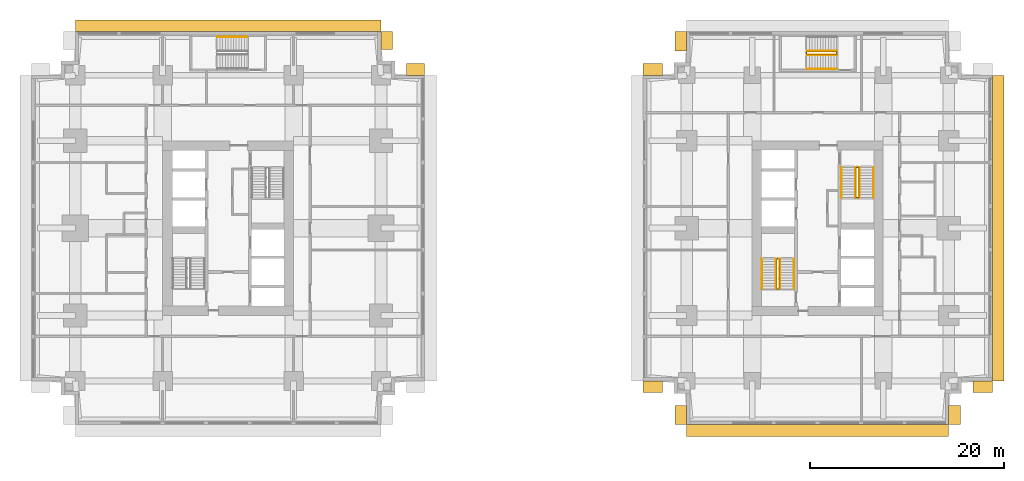
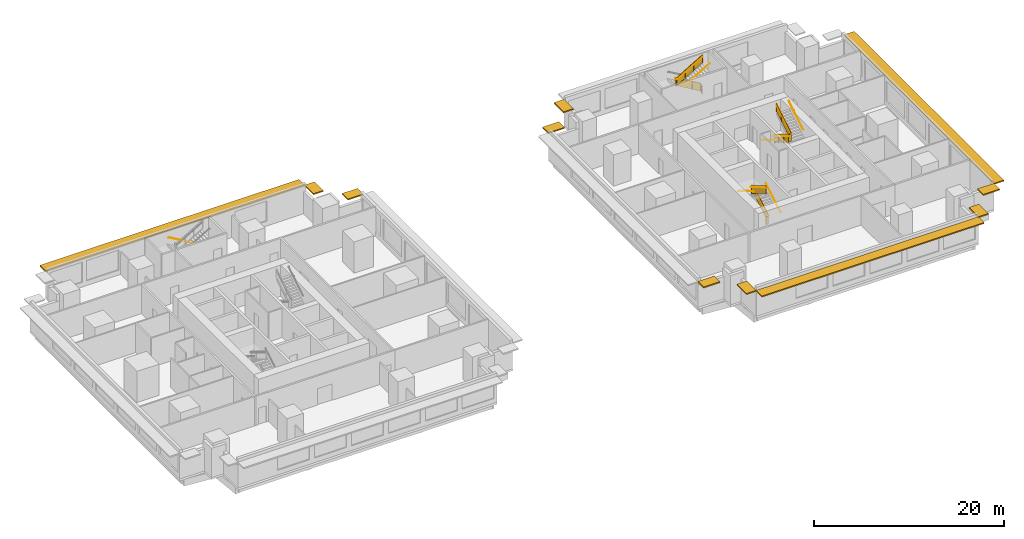
# One storey, part 10 of 11: 15 railings, 11 shading devices.
"""IFC4 building model written with IfcOpenShell, lengths in metres."""

from ifc_helpers import new_model, si_unit, direction, frame, origin, origin_2d, place, context, subcontext, project, spatial, polyline, rectangle, circle, outline, extrude, material, layer, layer_set, type_object, element, save


model = new_model("IFC4")

# Units and contexts
model_context = context("Model", 3, precision=1e-05, world=origin(), true_north=direction((0.0, 1.0)))
body_context = subcontext(model_context, "Body", "Model", "MODEL_VIEW")
ifc_project = project(units=[si_unit("LENGTHUNIT", "METRE"), si_unit("AREAUNIT", "SQUARE_METRE"), si_unit("VOLUMEUNIT", "CUBIC_METRE"), si_unit("PLANEANGLEUNIT", "RADIAN"), si_unit("MASSUNIT", "GRAM", prefix="KILO")], contexts=[model_context])

# Site, building, storey
site_placement = place(None, origin())
site = spatial("IfcSite", under=ifc_project, at=site_placement, CompositionType="ELEMENT")
building_placement = place(site_placement, origin())
building = spatial("IfcBuilding", under=site, at=building_placement, Name="Namib Vertical Campus", CompositionType="ELEMENT")
storey_placement = place(building_placement, frame((0.0, 0.0, 57.0)))
storey = spatial("IfcBuildingStorey", under=building, at=storey_placement, Name="L13", CompositionType="ELEMENT", Elevation=57.0)

# Railings
ifc_material_1 = material(Name="Steel handrail", Category="steel")
railing_type_1 = type_object("IfcRailingType", Name="Handrail 900", PredefinedType="HANDRAIL", material=ifc_material_1)
railing_1_placement = place(storey_placement, frame((78.550048828125, 14.0, 0.166748046875)))
element("IfcRailing", 1, at=railing_1_placement, inside=storey, type_object=railing_type_1, Name="Handrail HR1 B-S1 L13 1", PredefinedType="HANDRAIL", context=body_context, shape_type="SweptSolid", body=[
    extrude(circle(Radius=0.02392578125, at=origin_2d()), frame((0.0, 0.0, 0.8759765625), z_axis=(0.0, 0.859308565015, 0.511457515432), x_axis=(-1.0, 0.0, 0.0)), (0.0, 0.0, 1.0), 3.58447265625),
    extrude(circle(Radius=0.008056640625, at=origin_2d()), frame((0.0, 0.0, 0.8759765625), z_axis=(1.0, 0.0, 0.0), x_axis=(0.0, 0.0, 1.0)), (0.0, 0.0, 1.0), 0.050048828125),
    extrude(circle(Radius=0.008056640625, at=origin_2d()), frame((0.0, 1.026611328125, 1.48681640625), z_axis=(1.0, 0.0, 0.0), x_axis=(0.0, 0.0, 1.0)), (0.0, 0.0, 1.0), 0.050048828125),
    extrude(circle(Radius=0.008056640625, at=origin_2d()), frame((0.0, 2.053466796875, 2.09814453125), z_axis=(1.0, 0.0, 0.0), x_axis=(0.0, 0.0, 1.0)), (0.0, 0.0, 1.0), 0.050048828125),
    extrude(circle(Radius=0.008056640625, at=origin_2d()), frame((0.0, 3.080078125, 2.708984375), z_axis=(1.0, 0.0, 0.0), x_axis=(0.0, 0.0, 1.0)), (0.0, 0.0, 1.0), 0.050048828125),
])
railing_2_placement = place(storey_placement, frame((75.25, 17.080078125, 2.166748046875)))
element("IfcRailing", 2, at=railing_2_placement, inside=storey, type_object=railing_type_1, Name="Handrail HR1 B-S1 L13 2", PredefinedType="HANDRAIL", context=body_context, shape_type="SweptSolid", body=[
    extrude(circle(Radius=0.02392578125, at=origin_2d()), frame((0.0, 0.0, 0.8759765625), z_axis=(0.0, -0.859308565015, 0.511457515432), x_axis=(1.0, 0.0, 0.0)), (0.0, 0.0, 1.0), 3.58447265625),
    extrude(circle(Radius=0.008056640625, at=origin_2d()), frame((0.0, 0.0, 0.8759765625), z_axis=(-1.0, 0.0, 0.0), x_axis=(0.0, 0.0, 1.0)), (0.0, 0.0, 1.0), 0.050048828125),
    extrude(circle(Radius=0.008056640625, at=origin_2d()), frame((0.0, -1.026611328125, 1.48681640625), z_axis=(-1.0, 0.0, 0.0), x_axis=(0.0, 0.0, 1.0)), (0.0, 0.0, 1.0), 0.050048828125),
    extrude(circle(Radius=0.008056640625, at=origin_2d()), frame((0.0, -2.053466796875, 2.09814453125), z_axis=(-1.0, 0.0, 0.0), x_axis=(0.0, 0.0, 1.0)), (0.0, 0.0, 1.0), 0.050048828125),
    extrude(circle(Radius=0.008056640625, at=origin_2d()), frame((0.0, -3.080078125, 2.708984375), z_axis=(-1.0, 0.0, 0.0), x_axis=(0.0, 0.0, 1.0)), (0.0, 0.0, 1.0), 0.050048828125),
])
railing_3_placement = place(storey_placement, frame((77.10009765625, 14.0, 0.166748046875)))
element("IfcRailing", 3, at=railing_3_placement, inside=storey, type_object=railing_type_1, Name="Handrail HR1 B-S1 L13 1 at the well", PredefinedType="HANDRAIL", context=body_context, shape_type="SweptSolid", body=[
    extrude(circle(Radius=0.02392578125, at=origin_2d()), frame((0.0, 0.0, 0.8759765625), z_axis=(0.0, 0.859308565015, 0.511457515432), x_axis=(-1.0, 0.0, 0.0)), (0.0, 0.0, 1.0), 3.58447265625),
    extrude(circle(Radius=0.008056640625, at=origin_2d()), frame((0.0, 0.0, 0.8759765625), z_axis=(-1.0, 0.0, 0.0), x_axis=(0.0, 0.0, 1.0)), (0.0, 0.0, 1.0), 0.0400390625),
    extrude(circle(Radius=0.008056640625, at=origin_2d()), frame((0.0, 1.026611328125, 1.48681640625), z_axis=(-1.0, 0.0, 0.0), x_axis=(0.0, 0.0, 1.0)), (0.0, 0.0, 1.0), 0.0400390625),
    extrude(circle(Radius=0.008056640625, at=origin_2d()), frame((0.0, 2.053466796875, 2.09814453125), z_axis=(-1.0, 0.0, 0.0), x_axis=(0.0, 0.0, 1.0)), (0.0, 0.0, 1.0), 0.0400390625),
    extrude(circle(Radius=0.008056640625, at=origin_2d()), frame((0.0, 3.080078125, 2.708984375), z_axis=(-1.0, 0.0, 0.0), x_axis=(0.0, 0.0, 1.0)), (0.0, 0.0, 1.0), 0.0400390625),
])
railing_4_placement = place(storey_placement, frame((76.699951171875, 17.080078125, 2.166748046875)))
element("IfcRailing", 4, at=railing_4_placement, inside=storey, type_object=railing_type_1, Name="Handrail HR1 B-S1 L13 2 at the well", PredefinedType="HANDRAIL", context=body_context, shape_type="SweptSolid", body=[
    extrude(circle(Radius=0.02392578125, at=origin_2d()), frame((0.0, 0.0, 0.8759765625), z_axis=(0.0, -0.859308565015, 0.511457515432), x_axis=(1.0, 0.0, 0.0)), (0.0, 0.0, 1.0), 3.58447265625),
    extrude(circle(Radius=0.008056640625, at=origin_2d()), frame((0.0, 0.0, 0.8759765625), z_axis=(1.0, 0.0, 0.0), x_axis=(0.0, 0.0, 1.0)), (0.0, 0.0, 1.0), 0.0400390625),
    extrude(circle(Radius=0.008056640625, at=origin_2d()), frame((0.0, -1.026611328125, 1.48681640625), z_axis=(1.0, 0.0, 0.0), x_axis=(0.0, 0.0, 1.0)), (0.0, 0.0, 1.0), 0.0400390625),
    extrude(circle(Radius=0.008056640625, at=origin_2d()), frame((0.0, -2.053466796875, 2.09814453125), z_axis=(1.0, 0.0, 0.0), x_axis=(0.0, 0.0, 1.0)), (0.0, 0.0, 1.0), 0.0400390625),
    extrude(circle(Radius=0.008056640625, at=origin_2d()), frame((0.0, -3.080078125, 2.708984375), z_axis=(1.0, 0.0, 0.0), x_axis=(0.0, 0.0, 1.0)), (0.0, 0.0, 1.0), 0.0400390625),
])
railing_5_placement = place(storey_placement, frame((83.449951171875, 26.5, 0.166748046875)))
element("IfcRailing", 5, at=railing_5_placement, inside=storey, type_object=railing_type_1, Name="Handrail HR1 B-S2 L13 1", PredefinedType="HANDRAIL", context=body_context, shape_type="SweptSolid", body=[
    extrude(circle(Radius=0.02392578125, at=origin_2d()), frame((0.0, 0.0, 0.8759765625), z_axis=(0.0, -0.859308565015, 0.511457515432), x_axis=(1.0, 0.0, 0.0)), (0.0, 0.0, 1.0), 3.58447265625),
    extrude(circle(Radius=0.008056640625, at=origin_2d()), frame((0.0, 0.0, 0.8759765625), z_axis=(-1.0, 0.0, 0.0), x_axis=(0.0, 0.0, 1.0)), (0.0, 0.0, 1.0), 0.050048828125),
    extrude(circle(Radius=0.008056640625, at=origin_2d()), frame((0.0, -1.026611328125, 1.48681640625), z_axis=(-1.0, 0.0, 0.0), x_axis=(0.0, 0.0, 1.0)), (0.0, 0.0, 1.0), 0.050048828125),
    extrude(circle(Radius=0.008056640625, at=origin_2d()), frame((0.0, -2.053466796875, 2.09814453125), z_axis=(-1.0, 0.0, 0.0), x_axis=(0.0, 0.0, 1.0)), (0.0, 0.0, 1.0), 0.050048828125),
    extrude(circle(Radius=0.008056640625, at=origin_2d()), frame((0.0, -3.080078125, 2.708984375), z_axis=(-1.0, 0.0, 0.0), x_axis=(0.0, 0.0, 1.0)), (0.0, 0.0, 1.0), 0.050048828125),
])
railing_6_placement = place(storey_placement, frame((86.75, 23.419921875, 2.166748046875)))
element("IfcRailing", 6, at=railing_6_placement, inside=storey, type_object=railing_type_1, Name="Handrail HR1 B-S2 L13 2", PredefinedType="HANDRAIL", context=body_context, shape_type="SweptSolid", body=[
    extrude(circle(Radius=0.02392578125, at=origin_2d()), frame((0.0, 0.0, 0.8759765625), z_axis=(0.0, 0.859308565015, 0.511457515432), x_axis=(-1.0, 0.0, 0.0)), (0.0, 0.0, 1.0), 3.58447265625),
    extrude(circle(Radius=0.008056640625, at=origin_2d()), frame((0.0, 0.0, 0.8759765625), z_axis=(1.0, 0.0, 0.0), x_axis=(0.0, 0.0, 1.0)), (0.0, 0.0, 1.0), 0.050048828125),
    extrude(circle(Radius=0.008056640625, at=origin_2d()), frame((0.0, 1.026611328125, 1.48681640625), z_axis=(1.0, 0.0, 0.0), x_axis=(0.0, 0.0, 1.0)), (0.0, 0.0, 1.0), 0.050048828125),
    extrude(circle(Radius=0.008056640625, at=origin_2d()), frame((0.0, 2.053466796875, 2.09814453125), z_axis=(1.0, 0.0, 0.0), x_axis=(0.0, 0.0, 1.0)), (0.0, 0.0, 1.0), 0.050048828125),
    extrude(circle(Radius=0.008056640625, at=origin_2d()), frame((0.0, 3.080078125, 2.708984375), z_axis=(1.0, 0.0, 0.0), x_axis=(0.0, 0.0, 1.0)), (0.0, 0.0, 1.0), 0.050048828125),
])
railing_7_placement = place(storey_placement, frame((84.89990234375, 26.5, 0.166748046875)))
element("IfcRailing", 7, at=railing_7_placement, inside=storey, type_object=railing_type_1, Name="Handrail HR1 B-S2 L13 1 at the well", PredefinedType="HANDRAIL", context=body_context, shape_type="SweptSolid", body=[
    extrude(circle(Radius=0.02392578125, at=origin_2d()), frame((0.0, 0.0, 0.8759765625), z_axis=(0.0, -0.859308565015, 0.511457515432), x_axis=(1.0, 0.0, 0.0)), (0.0, 0.0, 1.0), 3.58447265625),
    extrude(circle(Radius=0.008056640625, at=origin_2d()), frame((0.0, 0.0, 0.8759765625), z_axis=(1.0, 0.0, 0.0), x_axis=(0.0, 0.0, 1.0)), (0.0, 0.0, 1.0), 0.0400390625),
    extrude(circle(Radius=0.008056640625, at=origin_2d()), frame((0.0, -1.026611328125, 1.48681640625), z_axis=(1.0, 0.0, 0.0), x_axis=(0.0, 0.0, 1.0)), (0.0, 0.0, 1.0), 0.0400390625),
    extrude(circle(Radius=0.008056640625, at=origin_2d()), frame((0.0, -2.053466796875, 2.09814453125), z_axis=(1.0, 0.0, 0.0), x_axis=(0.0, 0.0, 1.0)), (0.0, 0.0, 1.0), 0.0400390625),
    extrude(circle(Radius=0.008056640625, at=origin_2d()), frame((0.0, -3.080078125, 2.708984375), z_axis=(1.0, 0.0, 0.0), x_axis=(0.0, 0.0, 1.0)), (0.0, 0.0, 1.0), 0.0400390625),
])
railing_8_placement = place(storey_placement, frame((85.300048828125, 23.419921875, 2.166748046875)))
element("IfcRailing", 8, at=railing_8_placement, inside=storey, type_object=railing_type_1, Name="Handrail HR1 B-S2 L13 2 at the well", PredefinedType="HANDRAIL", context=body_context, shape_type="SweptSolid", body=[
    extrude(circle(Radius=0.02392578125, at=origin_2d()), frame((0.0, 0.0, 0.8759765625), z_axis=(0.0, 0.859308565015, 0.511457515432), x_axis=(-1.0, 0.0, 0.0)), (0.0, 0.0, 1.0), 3.58447265625),
    extrude(circle(Radius=0.008056640625, at=origin_2d()), frame((0.0, 0.0, 0.8759765625), z_axis=(-1.0, 0.0, 0.0), x_axis=(0.0, 0.0, 1.0)), (0.0, 0.0, 1.0), 0.0400390625),
    extrude(circle(Radius=0.008056640625, at=origin_2d()), frame((0.0, 1.026611328125, 1.48681640625), z_axis=(-1.0, 0.0, 0.0), x_axis=(0.0, 0.0, 1.0)), (0.0, 0.0, 1.0), 0.0400390625),
    extrude(circle(Radius=0.008056640625, at=origin_2d()), frame((0.0, 2.053466796875, 2.09814453125), z_axis=(-1.0, 0.0, 0.0), x_axis=(0.0, 0.0, 1.0)), (0.0, 0.0, 1.0), 0.0400390625),
    extrude(circle(Radius=0.008056640625, at=origin_2d()), frame((0.0, 3.080078125, 2.708984375), z_axis=(-1.0, 0.0, 0.0), x_axis=(0.0, 0.0, 1.0)), (0.0, 0.0, 1.0), 0.0400390625),
])
railing_9_placement = place(storey_placement, frame((22.199951171875, 39.949951171875, 0.166748046875)))
element("IfcRailing", 9, at=railing_9_placement, inside=storey, type_object=railing_type_1, Name="Handrail HR1 A-S3 L13 1", PredefinedType="HANDRAIL", context=body_context, shape_type="SweptSolid", body=[
    extrude(circle(Radius=0.02392578125, at=origin_2d()), frame((0.0, 0.0, 0.8759765625), z_axis=(-0.859290745958, 0.0, 0.51148745235), x_axis=(0.0, -1.0, 0.0)), (0.0, 0.0, 1.0), 3.584228515625),
    extrude(circle(Radius=0.008056640625, at=origin_2d()), frame((0.0, 0.0, 0.8759765625), z_axis=(0.0, 1.0, 0.0), x_axis=(0.0, 0.0, 1.0)), (0.0, 0.0, 1.0), 0.050048828125),
    extrude(circle(Radius=0.008056640625, at=origin_2d()), frame((-1.026611328125, 0.0, 1.48681640625), z_axis=(0.0, 1.0, 0.0), x_axis=(0.0, 0.0, 1.0)), (0.0, 0.0, 1.0), 0.050048828125),
    extrude(circle(Radius=0.008056640625, at=origin_2d()), frame((-2.05322265625, 0.0, 2.09814453125), z_axis=(0.0, 1.0, 0.0), x_axis=(0.0, 0.0, 1.0)), (0.0, 0.0, 1.0), 0.050048828125),
    extrude(circle(Radius=0.008056640625, at=origin_2d()), frame((-3.079833984375, 0.0, 2.708984375), z_axis=(0.0, 1.0, 0.0), x_axis=(0.0, 0.0, 1.0)), (0.0, 0.0, 1.0), 0.050048828125),
])
railing_10_placement = place(storey_placement, frame((79.8701171875, 36.64990234375, 2.166748046875)))
element("IfcRailing", 10, at=railing_10_placement, inside=storey, type_object=railing_type_1, Name="Handrail HR1 B-S3 L13 2", PredefinedType="HANDRAIL", context=body_context, shape_type="SweptSolid", body=[
    extrude(circle(Radius=0.02392578125, at=origin_2d()), frame((0.0, 0.0, 0.8759765625), z_axis=(0.859290745958, 0.0, 0.51148745235), x_axis=(0.0, 1.0, 0.0)), (0.0, 0.0, 1.0), 3.584228515625),
    extrude(circle(Radius=0.008056640625, at=origin_2d()), frame((0.0, 0.0, 0.8759765625), z_axis=(0.0, -1.0, 0.0), x_axis=(0.0, 0.0, 1.0)), (0.0, 0.0, 1.0), 0.050048828125),
    extrude(circle(Radius=0.008056640625, at=origin_2d()), frame((1.026611328125, 0.0, 1.48681640625), z_axis=(0.0, -1.0, 0.0), x_axis=(0.0, 0.0, 1.0)), (0.0, 0.0, 1.0), 0.050048828125),
    extrude(circle(Radius=0.008056640625, at=origin_2d()), frame((2.05322265625, 0.0, 2.09814453125), z_axis=(0.0, -1.0, 0.0), x_axis=(0.0, 0.0, 1.0)), (0.0, 0.0, 1.0), 0.050048828125),
    extrude(circle(Radius=0.008056640625, at=origin_2d()), frame((3.079833984375, 0.0, 2.708984375), z_axis=(0.0, -1.0, 0.0), x_axis=(0.0, 0.0, 1.0)), (0.0, 0.0, 1.0), 0.050048828125),
])
railing_11_placement = place(storey_placement, frame((82.949951171875, 38.5, 0.166748046875)))
element("IfcRailing", 11, at=railing_11_placement, inside=storey, type_object=railing_type_1, Name="Handrail HR1 B-S3 L13 1 at the well", PredefinedType="HANDRAIL", context=body_context, shape_type="SweptSolid", body=[
    extrude(circle(Radius=0.02392578125, at=origin_2d()), frame((0.0, 0.0, 0.8759765625), z_axis=(-0.859290745958, 0.0, 0.51148745235), x_axis=(0.0, -1.0, 0.0)), (0.0, 0.0, 1.0), 3.584228515625),
    extrude(circle(Radius=0.008056640625, at=origin_2d()), frame((0.0, 0.0, 0.8759765625), z_axis=(0.0, -1.0, 0.0), x_axis=(0.0, 0.0, 1.0)), (0.0, 0.0, 1.0), 0.0400390625),
    extrude(circle(Radius=0.008056640625, at=origin_2d()), frame((-1.026611328125, 0.0, 1.48681640625), z_axis=(0.0, -1.0, 0.0), x_axis=(0.0, 0.0, 1.0)), (0.0, 0.0, 1.0), 0.0400390625),
    extrude(circle(Radius=0.008056640625, at=origin_2d()), frame((-2.05322265625, 0.0, 2.09814453125), z_axis=(0.0, -1.0, 0.0), x_axis=(0.0, 0.0, 1.0)), (0.0, 0.0, 1.0), 0.0400390625),
    extrude(circle(Radius=0.008056640625, at=origin_2d()), frame((-3.079833984375, 0.0, 2.708984375), z_axis=(0.0, -1.0, 0.0), x_axis=(0.0, 0.0, 1.0)), (0.0, 0.0, 1.0), 0.0400390625),
])
railing_12_placement = place(storey_placement, frame((79.8701171875, 38.10009765625, 2.166748046875)))
element("IfcRailing", 12, at=railing_12_placement, inside=storey, type_object=railing_type_1, Name="Handrail HR1 B-S3 L13 2 at the well", PredefinedType="HANDRAIL", context=body_context, shape_type="SweptSolid", body=[
    extrude(circle(Radius=0.02392578125, at=origin_2d()), frame((0.0, 0.0, 0.8759765625), z_axis=(0.859290745958, 0.0, 0.51148745235), x_axis=(0.0, 1.0, 0.0)), (0.0, 0.0, 1.0), 3.584228515625),
    extrude(circle(Radius=0.008056640625, at=origin_2d()), frame((0.0, 0.0, 0.8759765625), z_axis=(0.0, 1.0, 0.0), x_axis=(0.0, 0.0, 1.0)), (0.0, 0.0, 1.0), 0.0400390625),
    extrude(circle(Radius=0.008056640625, at=origin_2d()), frame((1.026611328125, 0.0, 1.48681640625), z_axis=(0.0, 1.0, 0.0), x_axis=(0.0, 0.0, 1.0)), (0.0, 0.0, 1.0), 0.0400390625),
    extrude(circle(Radius=0.008056640625, at=origin_2d()), frame((2.05322265625, 0.0, 2.09814453125), z_axis=(0.0, 1.0, 0.0), x_axis=(0.0, 0.0, 1.0)), (0.0, 0.0, 1.0), 0.0400390625),
    extrude(circle(Radius=0.008056640625, at=origin_2d()), frame((3.079833984375, 0.0, 2.708984375), z_axis=(0.0, 1.0, 0.0), x_axis=(0.0, 0.0, 1.0)), (0.0, 0.0, 1.0), 0.0400390625),
])
ifc_material_2 = material(Name="Steel balustrade", Category="steel")
railing_type_2 = type_object("IfcRailingType", Name="Stair guard 1100", PredefinedType="GUARDRAIL", material=ifc_material_2)
railing_13_placement = place(storey_placement, frame((76.75, 14.0, 0.0)))
element("IfcRailing", 13, at=railing_13_placement, inside=storey, type_object=railing_type_2, Name="Stair guard GR1 B-S1 L13", PredefinedType="GUARDRAIL", context=body_context, shape_type="SweptSolid", body=[
    extrude(circle(Radius=0.02392578125, at=origin_2d()), frame((0.0, 0.0, 1.076171875), z_axis=(1.0, 0.0, 0.0), x_axis=(0.0, 1.0, 0.0)), (0.0, 0.0, 1.0), 0.300048828125),
    extrude(outline(polyline([(0.02099609375, 0.050048828125), (0.279052734375, 0.050048828125), (0.279052734375, 1.052001953125), (0.02099609375, 1.052001953125), (0.02099609375, 0.050048828125)])), frame((0.0, 0.010009765625, 0.0), z_axis=(0.0, -1.0, 0.0), x_axis=(1.0, 0.0, 0.0)), (0.0, 0.0, 1.0), 0.02001953125),
    extrude(circle(Radius=0.02392578125, at=origin_2d()), frame((0.300048828125, 0.0, 1.076171875), z_axis=(0.0, 0.0, 1.0), x_axis=(1.0, 0.0, 0.0)), (0.0, 0.0, 1.0), 0.166748046875),
    extrude(circle(Radius=0.02392578125, at=origin_2d()), frame((0.300048828125, 0.0, 1.24267578125), z_axis=(0.0, 0.859308565015, 0.511457515432), x_axis=(-1.0, 0.0, 0.0)), (0.0, 0.0, 1.0), 3.58447265625),
    extrude(outline(polyline([(0.02099609375, 0.0625), (3.05908203125, 1.870849609375), (3.05908203125, 2.872802734375), (0.02099609375, 1.064453125), (0.02099609375, 0.0625)])), frame((0.2900390625, 0.0, 0.166748046875), z_axis=(1.0, 0.0, 0.0), x_axis=(0.0, 1.0, 0.0)), (0.0, 0.0, 1.0), 0.02001953125),
    extrude(circle(Radius=0.02392578125, at=origin_2d()), frame((0.300048828125, 3.080078125, 3.076171875), z_axis=(-1.0, 0.0, 0.0), x_axis=(0.0, -1.0, 0.0)), (0.0, 0.0, 1.0), 0.300048828125),
    extrude(outline(polyline([(0.02099609375, 0.050048828125), (0.279052734375, 0.050048828125), (0.279052734375, 1.052001953125), (0.02099609375, 1.052001953125), (0.02099609375, 0.050048828125)])), frame((0.300048828125, 3.070068359375, 2.0), z_axis=(0.0, 1.0, 0.0), x_axis=(-1.0, 0.0, 0.0)), (0.0, 0.0, 1.0), 0.02001953125),
    extrude(circle(Radius=0.02392578125, at=origin_2d()), frame((0.0, 3.080078125, 3.076171875), z_axis=(0.0, 0.0, 1.0), x_axis=(1.0, 0.0, 0.0)), (0.0, 0.0, 1.0), 0.166748046875),
    extrude(circle(Radius=0.02392578125, at=origin_2d()), frame((0.0, 3.080078125, 3.24267578125), z_axis=(0.0, -0.859308565015, 0.511457515432), x_axis=(1.0, 0.0, 0.0)), (0.0, 0.0, 1.0), 3.58447265625),
    extrude(outline(polyline([(0.02099609375, 0.0625), (3.05908203125, 1.870849609375), (3.05908203125, 2.872802734375), (0.02099609375, 1.064453125), (0.02099609375, 0.0625)])), frame((0.010009765625, 3.080078125, 2.166748046875), z_axis=(-1.0, 0.0, 0.0), x_axis=(0.0, -1.0, 0.0)), (0.0, 0.0, 1.0), 0.02001953125),
    extrude(circle(Radius=0.02392578125, at=origin_2d()), frame((0.0, 0.0, 5.076171875), z_axis=(0.0, -1.0, 0.0), x_axis=(1.0, 0.0, 0.0)), (0.0, 0.0, 1.0), 0.050048828125),
    extrude(outline(polyline([(0.02099609375, 0.050048828125), (0.029052734375, 0.050048828125), (0.029052734375, 1.052001953125), (0.02099609375, 1.052001953125), (0.02099609375, 0.050048828125)])), frame((0.010009765625, 0.0, 4.0), z_axis=(-1.0, 0.0, 0.0), x_axis=(0.0, -1.0, 0.0)), (0.0, 0.0, 1.0), 0.02001953125),
    extrude(circle(Radius=0.02099609375, at=origin_2d()), origin(), (0.0, 0.0, 1.0), 1.052001953125),
    extrude(circle(Radius=0.02099609375, at=origin_2d()), frame((0.300048828125, 0.0, 0.166748046875)), (0.0, 0.0, 1.0), 1.052001953125),
    extrude(circle(Radius=0.02099609375, at=origin_2d()), frame((0.300048828125, 1.026611328125, 0.666748046875)), (0.0, 0.0, 1.0), 1.1630859375),
    extrude(circle(Radius=0.02099609375, at=origin_2d()), frame((0.300048828125, 2.053466796875, 1.33349609375)), (0.0, 0.0, 1.0), 1.107421875),
    extrude(circle(Radius=0.02099609375, at=origin_2d()), frame((0.300048828125, 3.080078125, 2.0)), (0.0, 0.0, 1.0), 1.052001953125),
    extrude(circle(Radius=0.02099609375, at=origin_2d()), frame((0.0, 3.080078125, 2.166748046875)), (0.0, 0.0, 1.0), 1.052001953125),
    extrude(circle(Radius=0.02099609375, at=origin_2d()), frame((0.0, 2.053466796875, 2.666748046875)), (0.0, 0.0, 1.0), 1.1630859375),
    extrude(circle(Radius=0.02099609375, at=origin_2d()), frame((0.0, 1.026611328125, 3.33349609375)), (0.0, 0.0, 1.0), 1.107421875),
    extrude(circle(Radius=0.02099609375, at=origin_2d()), frame((0.0, 0.0, 4.0)), (0.0, 0.0, 1.0), 1.052001953125),
    extrude(circle(Radius=0.02099609375, at=origin_2d()), frame((0.0, -0.050048828125, 4.0)), (0.0, 0.0, 1.0), 1.052001953125),
])
railing_14_placement = place(storey_placement, frame((85.25, 26.5, 0.0)))
element("IfcRailing", 14, at=railing_14_placement, inside=storey, type_object=railing_type_2, Name="Stair guard GR1 B-S2 L13", PredefinedType="GUARDRAIL", context=body_context, shape_type="SweptSolid", body=[
    extrude(circle(Radius=0.02392578125, at=origin_2d()), frame((0.0, 0.0, 1.076171875), z_axis=(-1.0, 0.0, 0.0), x_axis=(0.0, -1.0, 0.0)), (0.0, 0.0, 1.0), 0.300048828125),
    extrude(outline(polyline([(0.02099609375, 0.050048828125), (0.279052734375, 0.050048828125), (0.279052734375, 1.052001953125), (0.02099609375, 1.052001953125), (0.02099609375, 0.050048828125)])), frame((0.0, -0.010009765625, 0.0), z_axis=(0.0, 1.0, 0.0), x_axis=(-1.0, 0.0, 0.0)), (0.0, 0.0, 1.0), 0.02001953125),
    extrude(circle(Radius=0.02392578125, at=origin_2d()), frame((-0.300048828125, 0.0, 1.076171875), z_axis=(0.0, 0.0, 1.0), x_axis=(1.0, 0.0, 0.0)), (0.0, 0.0, 1.0), 0.166748046875),
    extrude(circle(Radius=0.02392578125, at=origin_2d()), frame((-0.300048828125, 0.0, 1.24267578125), z_axis=(0.0, -0.859308565015, 0.511457515432), x_axis=(1.0, 0.0, 0.0)), (0.0, 0.0, 1.0), 3.58447265625),
    extrude(outline(polyline([(0.02099609375, 0.0625), (3.05908203125, 1.870849609375), (3.05908203125, 2.872802734375), (0.02099609375, 1.064453125), (0.02099609375, 0.0625)])), frame((-0.2900390625, 0.0, 0.166748046875), z_axis=(-1.0, 0.0, 0.0), x_axis=(0.0, -1.0, 0.0)), (0.0, 0.0, 1.0), 0.02001953125),
    extrude(circle(Radius=0.02392578125, at=origin_2d()), frame((-0.300048828125, -3.080078125, 3.076171875), z_axis=(1.0, 0.0, 0.0), x_axis=(0.0, 1.0, 0.0)), (0.0, 0.0, 1.0), 0.300048828125),
    extrude(outline(polyline([(0.02099609375, 0.050048828125), (0.279052734375, 0.050048828125), (0.279052734375, 1.052001953125), (0.02099609375, 1.052001953125), (0.02099609375, 0.050048828125)])), frame((-0.300048828125, -3.070068359375, 2.0), z_axis=(0.0, -1.0, 0.0), x_axis=(1.0, 0.0, 0.0)), (0.0, 0.0, 1.0), 0.02001953125),
    extrude(circle(Radius=0.02392578125, at=origin_2d()), frame((0.0, -3.080078125, 3.076171875), z_axis=(0.0, 0.0, 1.0), x_axis=(1.0, 0.0, 0.0)), (0.0, 0.0, 1.0), 0.166748046875),
    extrude(circle(Radius=0.02392578125, at=origin_2d()), frame((0.0, -3.080078125, 3.24267578125), z_axis=(0.0, 0.859308565015, 0.511457515432), x_axis=(-1.0, 0.0, 0.0)), (0.0, 0.0, 1.0), 3.58447265625),
    extrude(outline(polyline([(0.02099609375, 0.0625), (3.05908203125, 1.870849609375), (3.05908203125, 2.872802734375), (0.02099609375, 1.064453125), (0.02099609375, 0.0625)])), frame((-0.010009765625, -3.080078125, 2.166748046875), z_axis=(1.0, 0.0, 0.0), x_axis=(0.0, 1.0, 0.0)), (0.0, 0.0, 1.0), 0.02001953125),
    extrude(circle(Radius=0.02392578125, at=origin_2d()), frame((0.0, 0.0, 5.076171875), z_axis=(0.0, 1.0, 0.0), x_axis=(-1.0, 0.0, 0.0)), (0.0, 0.0, 1.0), 0.050048828125),
    extrude(outline(polyline([(0.02099609375, 0.050048828125), (0.029052734375, 0.050048828125), (0.029052734375, 1.052001953125), (0.02099609375, 1.052001953125), (0.02099609375, 0.050048828125)])), frame((-0.010009765625, 0.0, 4.0), z_axis=(1.0, 0.0, 0.0), x_axis=(0.0, 1.0, 0.0)), (0.0, 0.0, 1.0), 0.02001953125),
    extrude(circle(Radius=0.02099609375, at=origin_2d()), origin(), (0.0, 0.0, 1.0), 1.052001953125),
    extrude(circle(Radius=0.02099609375, at=origin_2d()), frame((-0.300048828125, 0.0, 0.166748046875)), (0.0, 0.0, 1.0), 1.052001953125),
    extrude(circle(Radius=0.02099609375, at=origin_2d()), frame((-0.300048828125, -1.026611328125, 0.666748046875)), (0.0, 0.0, 1.0), 1.1630859375),
    extrude(circle(Radius=0.02099609375, at=origin_2d()), frame((-0.300048828125, -2.053466796875, 1.33349609375)), (0.0, 0.0, 1.0), 1.107421875),
    extrude(circle(Radius=0.02099609375, at=origin_2d()), frame((-0.300048828125, -3.080078125, 2.0)), (0.0, 0.0, 1.0), 1.052001953125),
    extrude(circle(Radius=0.02099609375, at=origin_2d()), frame((0.0, -3.080078125, 2.166748046875)), (0.0, 0.0, 1.0), 1.052001953125),
    extrude(circle(Radius=0.02099609375, at=origin_2d()), frame((0.0, -2.053466796875, 2.666748046875)), (0.0, 0.0, 1.0), 1.1630859375),
    extrude(circle(Radius=0.02099609375, at=origin_2d()), frame((0.0, -1.026611328125, 3.33349609375)), (0.0, 0.0, 1.0), 1.107421875),
    extrude(circle(Radius=0.02099609375, at=origin_2d()), frame((0.0, 0.0, 4.0)), (0.0, 0.0, 1.0), 1.052001953125),
    extrude(circle(Radius=0.02099609375, at=origin_2d()), frame((0.0, 0.050048828125, 4.0)), (0.0, 0.0, 1.0), 1.052001953125),
])
railing_15_placement = place(storey_placement, frame((82.949951171875, 38.14990234375, 0.0)))
element("IfcRailing", 15, at=railing_15_placement, inside=storey, type_object=railing_type_2, Name="Stair guard GR1 B-S3 L13", PredefinedType="GUARDRAIL", context=body_context, shape_type="SweptSolid", body=[
    extrude(circle(Radius=0.02392578125, at=origin_2d()), frame((0.0, 0.0, 1.076171875), z_axis=(0.0, 1.0, 0.0), x_axis=(-1.0, 0.0, 0.0)), (0.0, 0.0, 1.0), 0.300048828125),
    extrude(outline(polyline([(0.02099609375, 0.050048828125), (0.279052734375, 0.050048828125), (0.279052734375, 1.052001953125), (0.02099609375, 1.052001953125), (0.02099609375, 0.050048828125)])), frame((-0.010009765625, 0.0, 0.0), z_axis=(1.0, 0.0, 0.0), x_axis=(0.0, 1.0, 0.0)), (0.0, 0.0, 1.0), 0.02001953125),
    extrude(circle(Radius=0.02392578125, at=origin_2d()), frame((0.0, 0.300048828125, 1.076171875), z_axis=(0.0, 0.0, 1.0), x_axis=(1.0, 0.0, 0.0)), (0.0, 0.0, 1.0), 0.166748046875),
    extrude(circle(Radius=0.02392578125, at=origin_2d()), frame((0.0, 0.300048828125, 1.24267578125), z_axis=(-0.859290745958, 0.0, 0.51148745235), x_axis=(0.0, -1.0, 0.0)), (0.0, 0.0, 1.0), 3.584228515625),
    extrude(outline(polyline([(0.02099609375, 0.0625), (3.058837890625, 1.870849609375), (3.058837890625, 2.872802734375), (0.02099609375, 1.064453125), (0.02099609375, 0.0625)])), frame((0.0, 0.2900390625, 0.166748046875), z_axis=(0.0, 1.0, 0.0), x_axis=(-1.0, 0.0, 0.0)), (0.0, 0.0, 1.0), 0.02001953125),
    extrude(circle(Radius=0.02392578125, at=origin_2d()), frame((-3.079833984375, 0.300048828125, 3.076171875), z_axis=(0.0, -1.0, 0.0), x_axis=(1.0, 0.0, 0.0)), (0.0, 0.0, 1.0), 0.300048828125),
    extrude(outline(polyline([(0.02099609375, 0.050048828125), (0.279052734375, 0.050048828125), (0.279052734375, 1.052001953125), (0.02099609375, 1.052001953125), (0.02099609375, 0.050048828125)])), frame((-3.06982421875, 0.300048828125, 2.0), z_axis=(-1.0, 0.0, 0.0), x_axis=(0.0, -1.0, 0.0)), (0.0, 0.0, 1.0), 0.02001953125),
    extrude(circle(Radius=0.02392578125, at=origin_2d()), frame((-3.079833984375, 0.0, 3.076171875), z_axis=(0.0, 0.0, 1.0), x_axis=(1.0, 0.0, 0.0)), (0.0, 0.0, 1.0), 0.166748046875),
    extrude(circle(Radius=0.02392578125, at=origin_2d()), frame((-3.079833984375, 0.0, 3.24267578125), z_axis=(0.859290745958, 0.0, 0.51148745235), x_axis=(0.0, 1.0, 0.0)), (0.0, 0.0, 1.0), 3.584228515625),
    extrude(outline(polyline([(0.02099609375, 0.0625), (3.058837890625, 1.870849609375), (3.058837890625, 2.872802734375), (0.02099609375, 1.064453125), (0.02099609375, 0.0625)])), frame((-3.079833984375, 0.010009765625, 2.166748046875), z_axis=(0.0, -1.0, 0.0), x_axis=(1.0, 0.0, 0.0)), (0.0, 0.0, 1.0), 0.02001953125),
    extrude(circle(Radius=0.02392578125, at=origin_2d()), frame((0.0, 0.0, 5.076171875), z_axis=(1.0, 0.0, 0.0), x_axis=(0.0, 1.0, 0.0)), (0.0, 0.0, 1.0), 0.050048828125),
    extrude(outline(polyline([(0.02099609375, 0.050048828125), (0.029052734375, 0.050048828125), (0.029052734375, 1.052001953125), (0.02099609375, 1.052001953125), (0.02099609375, 0.050048828125)])), frame((0.0, 0.010009765625, 4.0), z_axis=(0.0, -1.0, 0.0), x_axis=(1.0, 0.0, 0.0)), (0.0, 0.0, 1.0), 0.02001953125),
    extrude(circle(Radius=0.02099609375, at=origin_2d()), origin(), (0.0, 0.0, 1.0), 1.052001953125),
    extrude(circle(Radius=0.02099609375, at=origin_2d()), frame((0.0, 0.300048828125, 0.166748046875)), (0.0, 0.0, 1.0), 1.052001953125),
    extrude(circle(Radius=0.02099609375, at=origin_2d()), frame((-1.026611328125, 0.300048828125, 0.666748046875)), (0.0, 0.0, 1.0), 1.1630859375),
    extrude(circle(Radius=0.02099609375, at=origin_2d()), frame((-2.05322265625, 0.300048828125, 1.33349609375)), (0.0, 0.0, 1.0), 1.107421875),
    extrude(circle(Radius=0.02099609375, at=origin_2d()), frame((-3.079833984375, 0.300048828125, 2.0)), (0.0, 0.0, 1.0), 1.052001953125),
    extrude(circle(Radius=0.02099609375, at=origin_2d()), frame((-3.079833984375, 0.0, 2.166748046875)), (0.0, 0.0, 1.0), 1.052001953125),
    extrude(circle(Radius=0.02099609375, at=origin_2d()), frame((-2.05322265625, 0.0, 2.666748046875)), (0.0, 0.0, 1.0), 1.1630859375),
    extrude(circle(Radius=0.02099609375, at=origin_2d()), frame((-1.026611328125, 0.0, 3.33349609375)), (0.0, 0.0, 1.0), 1.107421875),
    extrude(circle(Radius=0.02099609375, at=origin_2d()), frame((0.0, 0.0, 4.0)), (0.0, 0.0, 1.0), 1.052001953125),
    extrude(circle(Radius=0.02099609375, at=origin_2d()), frame((0.050048828125, 0.0, 4.0)), (0.0, 0.0, 1.0), 1.052001953125),
])

# Shading devices
ifc_material_3 = material(Name="Concrete C40/50 precast", Category="concrete")
ifc_layer = layer(ifc_material_3, 0.14990234375)
ifc_layer_set = layer_set([ifc_layer], Name="Concrete C40/50 precast")
shading_device_type = type_object("IfcShadingDeviceType", Name="Sunshade hood 1200", PredefinedType="SHUTTER", material=ifc_layer_set)
for number, where, z_axis, x_axis, name in (
    (16, (39.574951171875, 36.60009765625, 3.199951171875), (0.0, 0.0, 1.0), (-1.0, 0.0, 0.0), "Sunshade SH2 L13 7"),
    (17, (36.60009765625, 39.574951171875, 3.199951171875), (0.0, 0.0, 1.0), (0.0, 1.0, 0.0), "Sunshade SH2 L13 10"),
):
    element("IfcShadingDevice", number, at=place(storey_placement, frame(where, z_axis=z_axis, x_axis=x_axis)), inside=storey, type_object=shading_device_type, Name=name, PredefinedType="SHUTTER", context=body_context, shape_type="SweptSolid", body=[
        extrude(rectangle(XDim=1.85009765625, YDim=1.199951171875, at=origin_2d()), origin(), (0.0, 0.0, 1.0), 0.14990234375),
    ])
shading_device_1_placement = place(storey_placement, frame((20.25, 41.10009765625, 3.199951171875), z_axis=(0.0, 0.0, 1.0), x_axis=(-1.0, 0.0, 0.0)))
element("IfcShadingDevice", 18, at=shading_device_1_placement, inside=storey, type_object=shading_device_type, Name="Sunshade SH2 L13 11", PredefinedType="SHUTTER", context=body_context, shape_type="SweptSolid", body=[
    extrude(rectangle(XDim=31.5, YDim=1.199951171875, at=origin_2d()), origin(), (0.0, 0.0, 1.0), 0.14990234375),
])
shading_device_2_placement = place(storey_placement, frame((81.0, -0.60009765625, 3.199951171875), z_axis=(0.0, 0.0, 1.0), x_axis=(1.0, 0.0, 0.0)))
element("IfcShadingDevice", 19, at=shading_device_2_placement, inside=storey, type_object=shading_device_type, Name="Sunshade SH2 L13 1", PredefinedType="SHUTTER", context=body_context, shape_type="SweptSolid", body=[
    extrude(rectangle(XDim=27.0, YDim=1.199951171875, at=origin_2d()), origin(), (0.0, 0.0, 1.0), 0.14990234375),
])
for number, where, z_axis, x_axis, name in (
    (20, (95.10009765625, 1.0, 3.199951171875), (0.0, 0.0, 1.0), (0.0, 1.0, 0.0), "Sunshade SH2 L13 2"),
    (21, (98.0, 3.89990234375, 3.199951171875), (0.0, 0.0, 1.0), (1.0, 0.0, 0.0), "Sunshade SH2 L13 5"),
):
    element("IfcShadingDevice", number, at=place(storey_placement, frame(where, z_axis=z_axis, x_axis=x_axis)), inside=storey, type_object=shading_device_type, Name=name, PredefinedType="SHUTTER", context=body_context, shape_type="SweptSolid", body=[
        extrude(rectangle(XDim=2.0, YDim=1.199951171875, at=origin_2d()), origin(), (0.0, 0.0, 1.0), 0.14990234375),
    ])
shading_device_3_placement = place(storey_placement, frame((99.60009765625, 20.25, 3.199951171875), z_axis=(0.0, 0.0, 1.0), x_axis=(0.0, 1.0, 0.0)))
element("IfcShadingDevice", 22, at=shading_device_3_placement, inside=storey, type_object=shading_device_type, Name="Sunshade SH2 L13 6", PredefinedType="SHUTTER", context=body_context, shape_type="SweptSolid", body=[
    extrude(rectangle(XDim=31.5, YDim=1.199951171875, at=origin_2d()), origin(), (0.0, 0.0, 1.0), 0.14990234375),
])
for number, where, z_axis, x_axis, name in (
    (23, (66.89990234375, 39.5, 3.199951171875), (0.0, 0.0, 1.0), (0.0, -1.0, 0.0), "Sunshade SH2 L13 12"),
    (24, (64.0, 36.60009765625, 3.199951171875), (0.0, 0.0, 1.0), (-1.0, 0.0, 0.0), "Sunshade SH2 L13 15"),
    (25, (64.0, 3.89990234375, 3.199951171875), (0.0, 0.0, 1.0), (1.0, 0.0, 0.0), "Sunshade SH2 L13 17"),
    (26, (66.89990234375, 1.0, 3.199951171875), (0.0, 0.0, 1.0), (0.0, -1.0, 0.0), "Sunshade SH2 L13 20"),
):
    element("IfcShadingDevice", number, at=place(storey_placement, frame(where, z_axis=z_axis, x_axis=x_axis)), inside=storey, type_object=shading_device_type, Name=name, PredefinedType="SHUTTER", context=body_context, shape_type="SweptSolid", body=[
        extrude(rectangle(XDim=2.0, YDim=1.199951171875, at=origin_2d()), origin(), (0.0, 0.0, 1.0), 0.14990234375),
    ])

save(model, "model.ifc")
